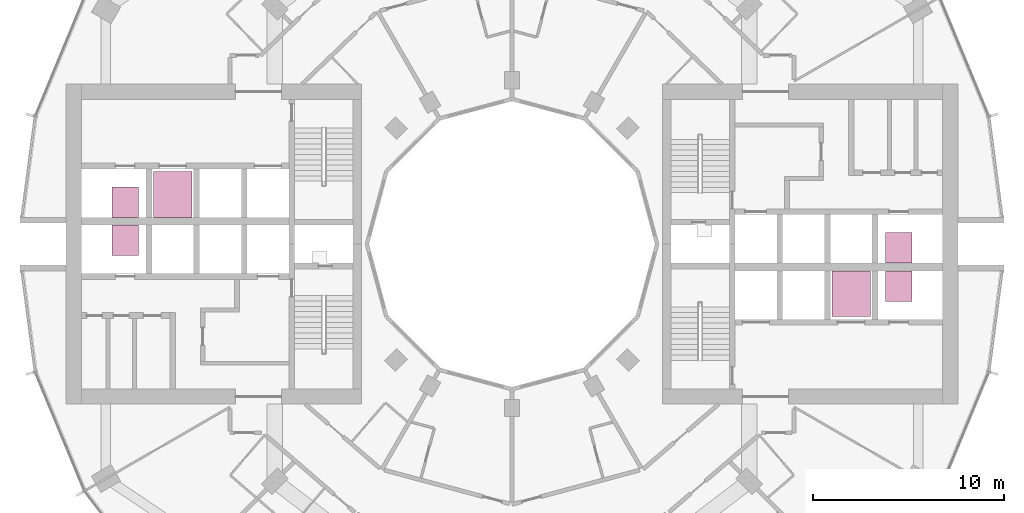
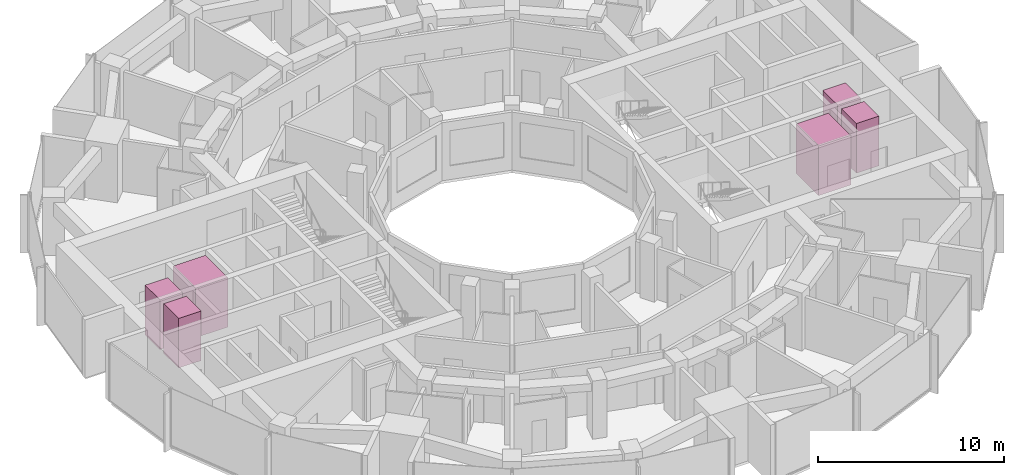
# One storey, part 15 of 15: 6 transport elements.
"""IFC4 building model written with IfcOpenShell, lengths in metres."""

from ifc_helpers import new_model, si_unit, direction, frame, origin, origin_2d, place, context, subcontext, project, spatial, rectangle, extrude, material, type_object, element, save


model = new_model("IFC4")

# Units and contexts
model_context = context("Model", 3, precision=1e-05, world=origin(), true_north=direction((0.0, 1.0)))
body_context = subcontext(model_context, "Body", "Model", "MODEL_VIEW")
ifc_project = project(units=[si_unit("LENGTHUNIT", "METRE"), si_unit("AREAUNIT", "SQUARE_METRE"), si_unit("VOLUMEUNIT", "CUBIC_METRE"), si_unit("PLANEANGLEUNIT", "RADIAN"), si_unit("MASSUNIT", "GRAM", prefix="KILO")], contexts=[model_context])

# Site, building, storey
site_placement = place(None, origin())
site = spatial("IfcSite", under=ifc_project, at=site_placement, CompositionType="ELEMENT")
building_placement = place(site_placement, origin())
building = spatial("IfcBuilding", under=site, at=building_placement, Name="Torre Brocal", CompositionType="ELEMENT")
storey_placement = place(building_placement, frame((0.0, 0.0, 32.60009765625)))
storey = spatial("IfcBuildingStorey", under=building, at=storey_placement, Name="L06", CompositionType="ELEMENT", Elevation=32.60009765625)

# Transport elements
ifc_material_1 = material(Name="Stainless steel AISI 316", Category="steel")
transport_element_type_1 = type_object("IfcTransportElementType", Name="PASSENGER LIFT 2000", PredefinedType="ELEVATOR", material=ifc_material_1)
for number, where, z_axis, x_axis, name in (
    (1, (97.800048828125, 72.39990234375, 0.0), (0.0, 0.0, 1.0), (1.0, 0.0, 0.0), "LOW RISE LIFT E-LR2"),
    (2, (62.199951171875, 77.60009765625, 0.0), (0.0, 0.0, 1.0), (1.0, 0.0, 0.0), "LOW RISE LIFT W-LR2"),
):
    element("IfcTransportElement", number, at=place(storey_placement, frame(where, z_axis=z_axis, x_axis=x_axis)), inside=storey, type_object=transport_element_type_1, Name=name, PredefinedType="ELEVATOR", context=body_context, shape_type="SweptSolid", body=[
        extrude(rectangle(XDim=2.0, YDim=2.39990234375, at=origin_2d()), origin(), (0.0, 0.0, 1.0), 3.25),
    ])
ifc_material_2 = material(Name="Stainless steel AISI 316", Category="steel")
transport_element_type_2 = type_object("IfcTransportElementType", Name="PASSENGER LIFT 900", PredefinedType="ELEVATOR", material=ifc_material_2)
for number, where, z_axis, x_axis, name in (
    (3, (100.300048828125, 74.800048828125, 0.0), (0.0, 0.0, 1.0), (1.0, 0.0, 0.0), "LOW RISE LIFT E-LR1"),
    (4, (100.300048828125, 72.800048828125, 0.0), (0.0, 0.0, 1.0), (1.0, 0.0, 0.0), "LOW RISE LIFT E-LR3"),
    (5, (59.699951171875, 75.199951171875, 0.0), (0.0, 0.0, 1.0), (1.0, 0.0, 0.0), "LOW RISE LIFT W-LR1"),
    (6, (59.699951171875, 77.199951171875, 0.0), (0.0, 0.0, 1.0), (1.0, 0.0, 0.0), "LOW RISE LIFT W-LR3"),
):
    element("IfcTransportElement", number, at=place(storey_placement, frame(where, z_axis=z_axis, x_axis=x_axis)), inside=storey, type_object=transport_element_type_2, Name=name, PredefinedType="ELEVATOR", context=body_context, shape_type="SweptSolid", body=[
        extrude(rectangle(XDim=1.39990234375, YDim=1.60009765625, at=origin_2d()), origin(), (0.0, 0.0, 1.0), 3.25),
    ])

save(model, "model.ifc")
